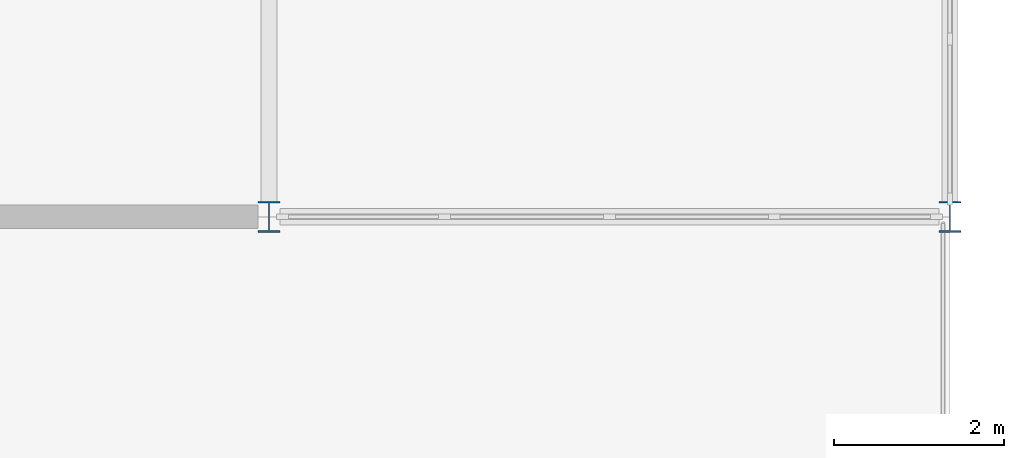
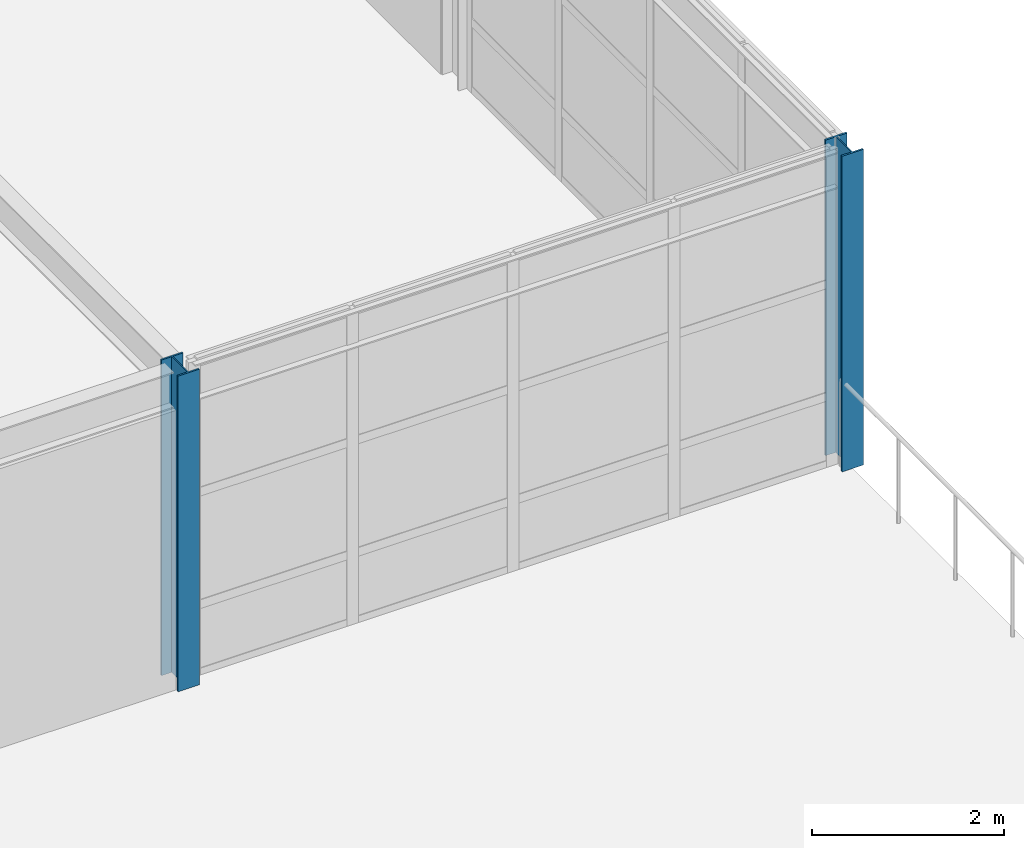
# One storey, part 2 of 21: 2 columns.
"""IFC4 building model written with IfcOpenShell, lengths in metres."""

from ifc_helpers import new_model, si_unit, direction, frame, origin, origin_2d, place, context, subcontext, project, spatial, i_section, extrude, material, material_profile, profile_set, type_object, element, save


model = new_model("IFC4")

# Units and contexts
model_context = context("Model", 3, precision=1e-05, world=origin(), true_north=direction((0.0, 1.0)))
body_context = subcontext(model_context, "Body", "Model", "MODEL_VIEW")
ifc_project = project(units=[si_unit("LENGTHUNIT", "METRE"), si_unit("AREAUNIT", "SQUARE_METRE"), si_unit("VOLUMEUNIT", "CUBIC_METRE"), si_unit("PLANEANGLEUNIT", "RADIAN"), si_unit("MASSUNIT", "GRAM", prefix="KILO")], contexts=[model_context])

# Site, building, storey
site_placement = place(None, origin())
site = spatial("IfcSite", under=ifc_project, at=site_placement, CompositionType="ELEMENT")
building_placement = place(site_placement, origin())
building = spatial("IfcBuilding", under=site, at=building_placement, Name="Varnela Railside Interchange", CompositionType="ELEMENT")
storey_placement = place(building_placement, frame((0.0, 0.0, 23.800048828125)))
storey = spatial("IfcBuildingStorey", under=building, at=storey_placement, Name="L05", CompositionType="ELEMENT", Elevation=23.800048828125)

# Columns
ifc_material = material(Name="Steel AR 350 (350 MPa)", Category="steel")
ifc_material_profile = material_profile(ifc_material, i_section(OverallWidth=0.257080078125, OverallDepth=0.363037109375, WebThickness=0.012939453125, FlangeThickness=0.021728515625, at=origin_2d()), Name="W360x122")
ifc_profile_set = profile_set([ifc_material_profile], Name="Steel AR 350 (350 MPa)")
column_type = type_object("IfcColumnType", Name="Superstructure Steel Col C-20", PredefinedType="COLUMN", material=ifc_profile_set)
for number, where, z_axis, x_axis, name in (
    (1, (44.0, 70.0, 0.0), (0.0, 0.0, 1.0), (1.0, 0.0, 0.0), "Column C-20 (L05) (CL-1007)"),
    (2, (52.0, 70.0, 0.0), (0.0, 0.0, 1.0), (1.0, 0.0, 0.0), "Column C-20 (L05) (CL-1011)"),
):
    element("IfcColumn", number, at=place(storey_placement, frame(where, z_axis=z_axis, x_axis=x_axis)), inside=storey, type_object=column_type, Name=name, PredefinedType="COLUMN", context=body_context, shape_type="SweptSolid", body=[
        extrude(i_section(OverallWidth=0.257080078125, OverallDepth=0.363037109375, WebThickness=0.012939453125, FlangeThickness=0.021728515625, at=origin_2d()), origin(), (0.0, 0.0, 1.0), 4.02001953125),
    ])

save(model, "model.ifc")
